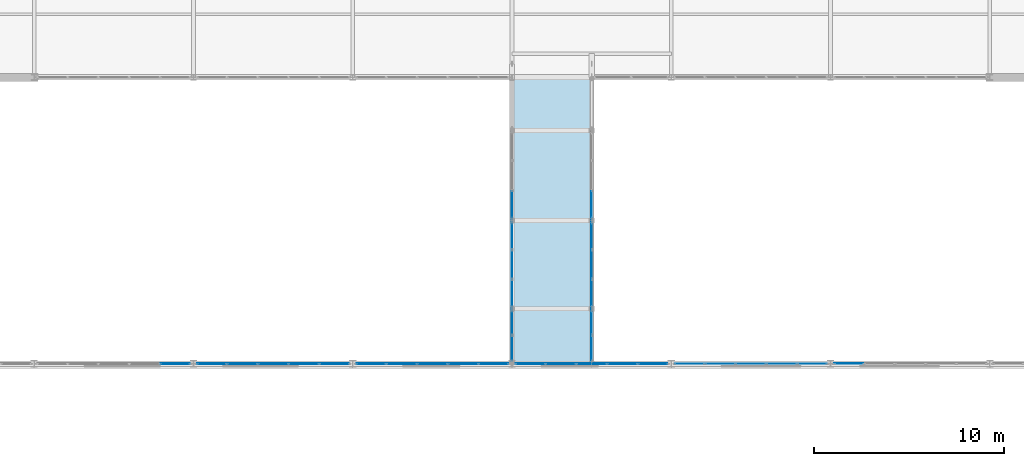
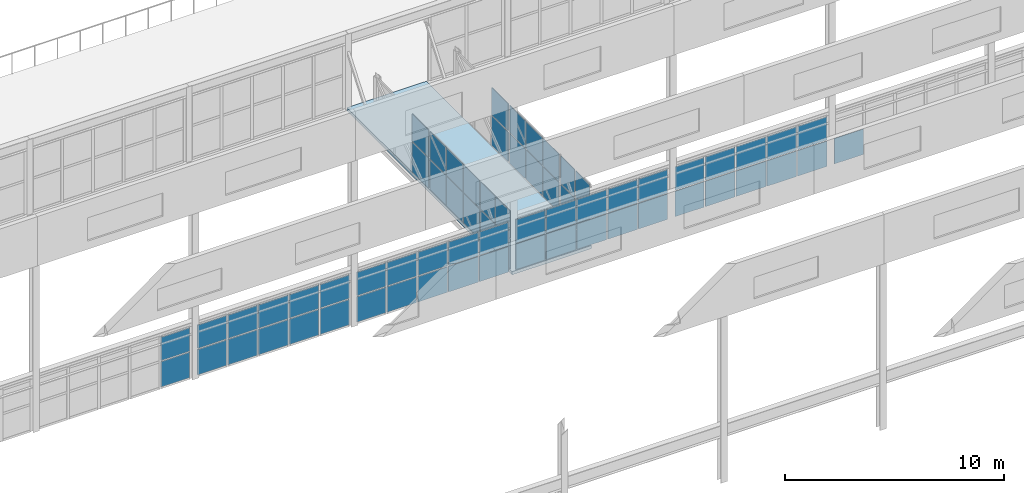
# One storey, part 182 of 218: 67 plates, 1 slab, 12 elements without a shape of their own.
"""IFC4 building model written with IfcOpenShell, lengths in metres."""

from ifc_helpers import new_model, si_unit, direction, frame, origin, origin_2d, place, context, subcontext, project, spatial, polyline, rectangle, outline, extrude, material, layer, layer_set, type_object, element, aggregate, save


model = new_model("IFC4")

# Units and contexts
model_context = context("Model", 3, precision=1e-05, world=origin(), true_north=direction((0.0, 1.0)))
body_context = subcontext(model_context, "Body", "Model", "MODEL_VIEW")
ifc_project = project(units=[si_unit("LENGTHUNIT", "METRE"), si_unit("AREAUNIT", "SQUARE_METRE"), si_unit("VOLUMEUNIT", "CUBIC_METRE"), si_unit("PLANEANGLEUNIT", "RADIAN"), si_unit("MASSUNIT", "GRAM", prefix="KILO")], contexts=[model_context])

# Site, building, storey
site_placement = place(None, origin())
site = spatial("IfcSite", under=ifc_project, at=site_placement, CompositionType="ELEMENT")
building_placement = place(site_placement, origin())
building = spatial("IfcBuilding", under=site, at=building_placement, Name="Kazenagashi Tramway Depot", CompositionType="ELEMENT")
storey_placement = place(building_placement, frame((0.0, 0.0, 6.0)))
storey = spatial("IfcBuildingStorey", under=building, at=storey_placement, Name="L02", CompositionType="ELEMENT", Elevation=6.0)

# Curtain wall, plates
ifc_material_1 = material(Name="Anodised Aluminium and Low-E Glazing", Category="aluminium")
curtain_wall_type_1 = type_object("IfcCurtainWallType", Name="CW-21", PredefinedType="USERDEFINED", material=ifc_material_1)
curtain_wall_1_placement = place(storey_placement, origin())
curtain_wall_1 = element("IfcCurtainWall", 1, at=curtain_wall_1_placement, inside=storey, type_object=curtain_wall_type_1, Name="Industrial Glazed Screen CW-21 CW-0113", ObjectType="GLAZED SCREEN", PredefinedType="USERDEFINED")
ifc_material_2 = material(Name="Tempered Laminated Low-E Glass", Category="glass")
ifc_layer_1 = layer(ifc_material_2, 0.016)
ifc_layer_set_1 = layer_set([ifc_layer_1], Name="Tempered Laminated Low-E Glass")
plate_type_1 = type_object("IfcPlateType", Name="GL-01", PredefinedType="CURTAIN_PANEL", material=ifc_layer_set_1)
plate_1_placement = place(storey_placement, frame((96.167, 54.9, 0.06), z_axis=(0.0, 0.0, 1.0), x_axis=(1.0, 0.0, 0.0)))
plate_1 = element("IfcPlate", 2, at=plate_1_placement, type_object=plate_type_1, Name="CW-21 panel 1.1", PredefinedType="CURTAIN_PANEL", context=body_context, shape_type="SweptSolid", body=[
    extrude(rectangle(XDim=1.534, YDim=0.016, at=origin_2d()), origin(), (0.0, 0.0, 1.0), 1.418),
])
plate_2_placement = place(storey_placement, frame((96.167, 54.9, 1.538), z_axis=(0.0, 0.0, 1.0), x_axis=(1.0, 0.0, 0.0)))
plate_2 = element("IfcPlate", 3, at=plate_2_placement, type_object=plate_type_1, Name="CW-21 panel 1.2", PredefinedType="CURTAIN_PANEL", context=body_context, shape_type="SweptSolid", body=[
    extrude(rectangle(XDim=1.534, YDim=0.016, at=origin_2d()), origin(), (0.0, 0.0, 1.0), 1.302),
])
plate_3_placement = place(storey_placement, frame((97.776, 54.9, 0.06), z_axis=(0.0, 0.0, 1.0), x_axis=(1.0, 0.0, 0.0)))
plate_3 = element("IfcPlate", 4, at=plate_3_placement, type_object=plate_type_1, Name="CW-21 panel 2.1", PredefinedType="CURTAIN_PANEL", context=body_context, shape_type="SweptSolid", body=[
    extrude(rectangle(XDim=1.564, YDim=0.016, at=origin_2d()), origin(), (0.0, 0.0, 1.0), 1.418),
])
plate_4_placement = place(storey_placement, frame((97.776, 54.9, 1.538), z_axis=(0.0, 0.0, 1.0), x_axis=(1.0, 0.0, 0.0)))
plate_4 = element("IfcPlate", 5, at=plate_4_placement, type_object=plate_type_1, Name="CW-21 panel 2.2", PredefinedType="CURTAIN_PANEL", context=body_context, shape_type="SweptSolid", body=[
    extrude(rectangle(XDim=1.564, YDim=0.016, at=origin_2d()), origin(), (0.0, 0.0, 1.0), 1.302),
])
plate_5_placement = place(storey_placement, frame((99.4, 54.9, 0.06), z_axis=(0.0, 0.0, 1.0), x_axis=(1.0, 0.0, 0.0)))
plate_5 = element("IfcPlate", 6, at=plate_5_placement, type_object=plate_type_1, Name="CW-21 panel 3.1", PredefinedType="CURTAIN_PANEL", context=body_context, shape_type="SweptSolid", body=[
    extrude(rectangle(XDim=1.564, YDim=0.016, at=origin_2d()), origin(), (0.0, 0.0, 1.0), 1.418),
])
plate_6_placement = place(storey_placement, frame((99.4, 54.9, 1.538), z_axis=(0.0, 0.0, 1.0), x_axis=(1.0, 0.0, 0.0)))
plate_6 = element("IfcPlate", 7, at=plate_6_placement, type_object=plate_type_1, Name="CW-21 panel 3.2", PredefinedType="CURTAIN_PANEL", context=body_context, shape_type="SweptSolid", body=[
    extrude(rectangle(XDim=1.564, YDim=0.016, at=origin_2d()), origin(), (0.0, 0.0, 1.0), 1.302),
])
plate_7_placement = place(storey_placement, frame((101.024, 54.9, 0.06), z_axis=(0.0, 0.0, 1.0), x_axis=(1.0, 0.0, 0.0)))
plate_7 = element("IfcPlate", 8, at=plate_7_placement, type_object=plate_type_1, Name="CW-21 panel 4.1", PredefinedType="CURTAIN_PANEL", context=body_context, shape_type="SweptSolid", body=[
    extrude(rectangle(XDim=1.564, YDim=0.016, at=origin_2d()), origin(), (0.0, 0.0, 1.0), 1.418),
])
plate_8_placement = place(storey_placement, frame((101.024, 54.9, 1.538), z_axis=(0.0, 0.0, 1.0), x_axis=(1.0, 0.0, 0.0)))
plate_8 = element("IfcPlate", 9, at=plate_8_placement, type_object=plate_type_1, Name="CW-21 panel 4.2", PredefinedType="CURTAIN_PANEL", context=body_context, shape_type="SweptSolid", body=[
    extrude(rectangle(XDim=1.564, YDim=0.016, at=origin_2d()), origin(), (0.0, 0.0, 1.0), 1.302),
])
plate_9_placement = place(storey_placement, frame((102.633, 54.9, 0.06), z_axis=(0.0, 0.0, 1.0), x_axis=(1.0, 0.0, 0.0)))
plate_9 = element("IfcPlate", 10, at=plate_9_placement, type_object=plate_type_1, Name="CW-21 panel 5.1", PredefinedType="CURTAIN_PANEL", context=body_context, shape_type="SweptSolid", body=[
    extrude(rectangle(XDim=1.534, YDim=0.016, at=origin_2d()), origin(), (0.0, 0.0, 1.0), 1.418),
])
plate_10_placement = place(storey_placement, frame((102.633, 54.9, 1.538), z_axis=(0.0, 0.0, 1.0), x_axis=(1.0, 0.0, 0.0)))
plate_10 = element("IfcPlate", 11, at=plate_10_placement, type_object=plate_type_1, Name="CW-21 panel 5.2", PredefinedType="CURTAIN_PANEL", context=body_context, shape_type="SweptSolid", body=[
    extrude(rectangle(XDim=1.534, YDim=0.016, at=origin_2d()), origin(), (0.0, 0.0, 1.0), 1.302),
])
aggregate(curtain_wall_1, [plate_1, plate_2, plate_3, plate_4, plate_5, plate_6, plate_7, plate_8, plate_9, plate_10])

# Curtain wall, plate
curtain_wall_2_placement = place(storey_placement, origin())
curtain_wall_2 = element("IfcCurtainWall", 12, at=curtain_wall_2_placement, inside=storey, type_object=curtain_wall_type_1, Name="Industrial Glazed Screen CW-21 CW-0114", ObjectType="GLAZED SCREEN", PredefinedType="USERDEFINED")
ifc_layer_2 = layer(ifc_material_2, 0.018)
ifc_layer_set_2 = layer_set([ifc_layer_2], Name="Tempered Laminated Low-E Glass")
plate_type_2 = type_object("IfcPlateType", Name="GL-02", PredefinedType="CURTAIN_PANEL", material=ifc_layer_set_2)
plate_11_placement = place(storey_placement, frame((104.567, 54.9, 0.06), z_axis=(0.0, 0.0, 1.0), x_axis=(1.0, 0.0, 0.0)))
plate_11 = element("IfcPlate", 13, at=plate_11_placement, type_object=plate_type_2, Name="CW-21 panel 1.1", PredefinedType="CURTAIN_PANEL", context=body_context, shape_type="SweptSolid", body=[
    extrude(rectangle(XDim=1.534, YDim=0.018, at=origin_2d()), origin(), (0.0, 0.0, 1.0), 1.418),
])
aggregate(curtain_wall_2, [plate_11])

# Curtain wall, plates
curtain_wall_type_2 = type_object("IfcCurtainWallType", Name="CW-27", PredefinedType="USERDEFINED", material=ifc_material_1)
curtain_wall_3_placement = place(storey_placement, origin())
curtain_wall_3 = element("IfcCurtainWall", 14, at=curtain_wall_3_placement, inside=storey, type_object=curtain_wall_type_2, Name="Industrial Glazed Screen CW-27 CW-0151", ObjectType="GLAZED SCREEN", PredefinedType="USERDEFINED")
ifc_layer_3 = layer(ifc_material_2, 0.028)
ifc_layer_set_3 = layer_set([ifc_layer_3], Name="Tempered Laminated Low-E Glass")
plate_type_3 = type_object("IfcPlateType", Name="GL-07", PredefinedType="CURTAIN_PANEL", material=ifc_layer_set_3)
plate_12_placement = place(storey_placement, frame((86.8, 55.715, 0.06), z_axis=(0.0, 0.0, 1.0), x_axis=(0.0, 1.0, 0.0)))
plate_12 = element("IfcPlate", 15, at=plate_12_placement, type_object=plate_type_3, Name="CW-27 panel 1.1", PredefinedType="CURTAIN_PANEL", context=body_context, shape_type="SweptSolid", body=[
    extrude(rectangle(XDim=1.31, YDim=0.028, at=origin_2d()), origin(), (0.0, 0.0, 1.0), 1.652),
])
plate_13_placement = place(storey_placement, frame((86.8, 55.715, 1.772), z_axis=(0.0, 0.0, 1.0), x_axis=(0.0, 1.0, 0.0)))
plate_13 = element("IfcPlate", 16, at=plate_13_placement, type_object=plate_type_3, Name="CW-27 panel 1.2", PredefinedType="CURTAIN_PANEL", context=body_context, shape_type="SweptSolid", body=[
    extrude(rectangle(XDim=1.31, YDim=0.028, at=origin_2d()), origin(), (0.0, 0.0, 1.0), 1.518),
])
plate_14_placement = place(storey_placement, frame((86.8, 57.085, 0.06), z_axis=(0.0, 0.0, 1.0), x_axis=(0.0, 1.0, 0.0)))
plate_14 = element("IfcPlate", 17, at=plate_14_placement, type_object=plate_type_3, Name="CW-27 panel 2.1", PredefinedType="CURTAIN_PANEL", context=body_context, shape_type="SweptSolid", body=[
    extrude(rectangle(XDim=1.31, YDim=0.028, at=origin_2d()), origin(), (0.0, 0.0, 1.0), 1.652),
])
plate_15_placement = place(storey_placement, frame((86.8, 57.085, 1.772), z_axis=(0.0, 0.0, 1.0), x_axis=(0.0, 1.0, 0.0)))
plate_15 = element("IfcPlate", 18, at=plate_15_placement, type_object=plate_type_3, Name="CW-27 panel 2.2", PredefinedType="CURTAIN_PANEL", context=body_context, shape_type="SweptSolid", body=[
    extrude(rectangle(XDim=1.31, YDim=0.028, at=origin_2d()), origin(), (0.0, 0.0, 1.0), 1.518),
])
aggregate(curtain_wall_3, [plate_12, plate_13, plate_14, plate_15])

curtain_wall_type_3 = type_object("IfcCurtainWallType", Name="CW-28", PredefinedType="USERDEFINED", material=ifc_material_1)
curtain_wall_4_placement = place(storey_placement, origin())
curtain_wall_4 = element("IfcCurtainWall", 19, at=curtain_wall_4_placement, inside=storey, type_object=curtain_wall_type_3, Name="Industrial Glazed Screen CW-28 CW-0152", ObjectType="GLAZED SCREEN", PredefinedType="USERDEFINED")
ifc_layer_4 = layer(ifc_material_2, 0.03)
ifc_layer_set_4 = layer_set([ifc_layer_4], Name="Tempered Laminated Low-E Glass")
plate_type_4 = type_object("IfcPlateType", Name="GL-08", PredefinedType="CURTAIN_PANEL", material=ifc_layer_set_4)
plate_16_placement = place(storey_placement, frame((86.8, 58.59, 0.06), z_axis=(0.0, 0.0, 1.0), x_axis=(0.0, 1.0, 0.0)))
plate_16 = element("IfcPlate", 20, at=plate_16_placement, type_object=plate_type_4, Name="CW-28 panel 1.1", PredefinedType="CURTAIN_PANEL", context=body_context, shape_type="SweptSolid", body=[
    extrude(rectangle(XDim=1.46, YDim=0.03, at=origin_2d()), origin(), (0.0, 0.0, 1.0), 1.652),
])
plate_17_placement = place(storey_placement, frame((86.8, 58.59, 1.772), z_axis=(0.0, 0.0, 1.0), x_axis=(0.0, 1.0, 0.0)))
plate_17 = element("IfcPlate", 21, at=plate_17_placement, type_object=plate_type_4, Name="CW-28 panel 1.2", PredefinedType="CURTAIN_PANEL", context=body_context, shape_type="SweptSolid", body=[
    extrude(rectangle(XDim=1.46, YDim=0.03, at=origin_2d()), origin(), (0.0, 0.0, 1.0), 1.518),
])
plate_18_placement = place(storey_placement, frame((86.8, 60.125, 0.06), z_axis=(0.0, 0.0, 1.0), x_axis=(0.0, 1.0, 0.0)))
plate_18 = element("IfcPlate", 22, at=plate_18_placement, type_object=plate_type_4, Name="CW-28 panel 2.1", PredefinedType="CURTAIN_PANEL", context=body_context, shape_type="SweptSolid", body=[
    extrude(rectangle(XDim=1.49, YDim=0.03, at=origin_2d()), origin(), (0.0, 0.0, 1.0), 1.652),
])
plate_19_placement = place(storey_placement, frame((86.8, 60.125, 1.772), z_axis=(0.0, 0.0, 1.0), x_axis=(0.0, 1.0, 0.0)))
plate_19 = element("IfcPlate", 23, at=plate_19_placement, type_object=plate_type_4, Name="CW-28 panel 2.2", PredefinedType="CURTAIN_PANEL", context=body_context, shape_type="SweptSolid", body=[
    extrude(rectangle(XDim=1.49, YDim=0.03, at=origin_2d()), origin(), (0.0, 0.0, 1.0), 1.518),
])
plate_20_placement = place(storey_placement, frame((86.8, 61.66, 0.06), z_axis=(0.0, 0.0, 1.0), x_axis=(0.0, 1.0, 0.0)))
plate_20 = element("IfcPlate", 24, at=plate_20_placement, type_object=plate_type_4, Name="CW-28 panel 3.1", PredefinedType="CURTAIN_PANEL", context=body_context, shape_type="SweptSolid", body=[
    extrude(rectangle(XDim=1.46, YDim=0.03, at=origin_2d()), origin(), (0.0, 0.0, 1.0), 1.652),
])
plate_21_placement = place(storey_placement, frame((86.8, 61.66, 1.772), z_axis=(0.0, 0.0, 1.0), x_axis=(0.0, 1.0, 0.0)))
plate_21 = element("IfcPlate", 25, at=plate_21_placement, type_object=plate_type_4, Name="CW-28 panel 3.2", PredefinedType="CURTAIN_PANEL", context=body_context, shape_type="SweptSolid", body=[
    extrude(rectangle(XDim=1.46, YDim=0.03, at=origin_2d()), origin(), (0.0, 0.0, 1.0), 1.518),
])
aggregate(curtain_wall_4, [plate_16, plate_17, plate_18, plate_19, plate_20, plate_21])

curtain_wall_type_4 = type_object("IfcCurtainWallType", Name="CW-29", PredefinedType="USERDEFINED", material=ifc_material_1)
curtain_wall_5_placement = place(storey_placement, origin())
curtain_wall_5 = element("IfcCurtainWall", 26, at=curtain_wall_5_placement, inside=storey, type_object=curtain_wall_type_4, Name="Industrial Glazed Screen CW-29 CW-0153", ObjectType="GLAZED SCREEN", PredefinedType="USERDEFINED")
ifc_layer_5 = layer(ifc_material_2, 0.032)
ifc_layer_set_5 = layer_set([ifc_layer_5], Name="Tempered Laminated Low-E Glass")
plate_type_5 = type_object("IfcPlateType", Name="GL-09", PredefinedType="CURTAIN_PANEL", material=ifc_layer_set_5)
plate_22_placement = place(storey_placement, frame((86.8, 63.256667, 0.06), z_axis=(0.0, 0.0, 1.0), x_axis=(0.0, 1.0, 0.0)))
plate_22 = element("IfcPlate", 27, at=plate_22_placement, type_object=plate_type_5, Name="CW-29 panel 1.1", PredefinedType="CURTAIN_PANEL", context=body_context, shape_type="SweptSolid", body=[
    extrude(rectangle(XDim=1.493333, YDim=0.032, at=origin_2d()), origin(), (0.0, 0.0, 1.0), 1.652),
])
plate_23_placement = place(storey_placement, frame((86.8, 63.256667, 1.772), z_axis=(0.0, 0.0, 1.0), x_axis=(0.0, 1.0, 0.0)))
plate_23 = element("IfcPlate", 28, at=plate_23_placement, type_object=plate_type_5, Name="CW-29 panel 1.2", PredefinedType="CURTAIN_PANEL", context=body_context, shape_type="SweptSolid", body=[
    extrude(rectangle(XDim=1.493333, YDim=0.032, at=origin_2d()), origin(), (0.0, 0.0, 1.0), 1.518),
])
aggregate(curtain_wall_5, [plate_22, plate_23])

curtain_wall_6_placement = place(storey_placement, origin())
curtain_wall_6 = element("IfcCurtainWall", 29, at=curtain_wall_6_placement, inside=storey, type_object=curtain_wall_type_2, Name="Industrial Glazed Screen CW-27 CW-0154", ObjectType="GLAZED SCREEN", PredefinedType="USERDEFINED")
ifc_layer_6 = layer(ifc_material_2, 0.034)
ifc_layer_set_6 = layer_set([ifc_layer_6], Name="Tempered Laminated Low-E Glass")
plate_type_6 = type_object("IfcPlateType", Name="GL-10", PredefinedType="CURTAIN_PANEL", material=ifc_layer_set_6)
plate_24_placement = place(storey_placement, frame((91.0, 55.715, 0.06), z_axis=(0.0, 0.0, 1.0), x_axis=(0.0, 1.0, 0.0)))
plate_24 = element("IfcPlate", 30, at=plate_24_placement, type_object=plate_type_6, Name="CW-27 panel 1.1", PredefinedType="CURTAIN_PANEL", context=body_context, shape_type="SweptSolid", body=[
    extrude(rectangle(XDim=1.31, YDim=0.034, at=origin_2d()), origin(), (0.0, 0.0, 1.0), 1.652),
])
plate_25_placement = place(storey_placement, frame((91.0, 55.715, 1.772), z_axis=(0.0, 0.0, 1.0), x_axis=(0.0, 1.0, 0.0)))
plate_25 = element("IfcPlate", 31, at=plate_25_placement, type_object=plate_type_6, Name="CW-27 panel 1.2", PredefinedType="CURTAIN_PANEL", context=body_context, shape_type="SweptSolid", body=[
    extrude(rectangle(XDim=1.31, YDim=0.034, at=origin_2d()), origin(), (0.0, 0.0, 1.0), 1.518),
])
plate_26_placement = place(storey_placement, frame((91.0, 57.085, 0.06), z_axis=(0.0, 0.0, 1.0), x_axis=(0.0, 1.0, 0.0)))
plate_26 = element("IfcPlate", 32, at=plate_26_placement, type_object=plate_type_6, Name="CW-27 panel 2.1", PredefinedType="CURTAIN_PANEL", context=body_context, shape_type="SweptSolid", body=[
    extrude(rectangle(XDim=1.31, YDim=0.034, at=origin_2d()), origin(), (0.0, 0.0, 1.0), 1.652),
])
plate_27_placement = place(storey_placement, frame((91.0, 57.085, 1.772), z_axis=(0.0, 0.0, 1.0), x_axis=(0.0, 1.0, 0.0)))
plate_27 = element("IfcPlate", 33, at=plate_27_placement, type_object=plate_type_6, Name="CW-27 panel 2.2", PredefinedType="CURTAIN_PANEL", context=body_context, shape_type="SweptSolid", body=[
    extrude(rectangle(XDim=1.31, YDim=0.034, at=origin_2d()), origin(), (0.0, 0.0, 1.0), 1.518),
])
aggregate(curtain_wall_6, [plate_24, plate_25, plate_26, plate_27])

curtain_wall_7_placement = place(storey_placement, origin())
curtain_wall_7 = element("IfcCurtainWall", 34, at=curtain_wall_7_placement, inside=storey, type_object=curtain_wall_type_3, Name="Industrial Glazed Screen CW-28 CW-0155", ObjectType="GLAZED SCREEN", PredefinedType="USERDEFINED")
ifc_layer_7 = layer(ifc_material_2, 0.036)
ifc_layer_set_7 = layer_set([ifc_layer_7], Name="Tempered Laminated Low-E Glass")
plate_type_7 = type_object("IfcPlateType", Name="GL-11", PredefinedType="CURTAIN_PANEL", material=ifc_layer_set_7)
plate_28_placement = place(storey_placement, frame((91.0, 58.59, 0.06), z_axis=(0.0, 0.0, 1.0), x_axis=(0.0, 1.0, 0.0)))
plate_28 = element("IfcPlate", 35, at=plate_28_placement, type_object=plate_type_7, Name="CW-28 panel 1.1", PredefinedType="CURTAIN_PANEL", context=body_context, shape_type="SweptSolid", body=[
    extrude(rectangle(XDim=1.46, YDim=0.036, at=origin_2d()), origin(), (0.0, 0.0, 1.0), 1.652),
])
plate_29_placement = place(storey_placement, frame((91.0, 58.59, 1.772), z_axis=(0.0, 0.0, 1.0), x_axis=(0.0, 1.0, 0.0)))
plate_29 = element("IfcPlate", 36, at=plate_29_placement, type_object=plate_type_7, Name="CW-28 panel 1.2", PredefinedType="CURTAIN_PANEL", context=body_context, shape_type="SweptSolid", body=[
    extrude(rectangle(XDim=1.46, YDim=0.036, at=origin_2d()), origin(), (0.0, 0.0, 1.0), 1.518),
])
plate_30_placement = place(storey_placement, frame((91.0, 60.125, 0.06), z_axis=(0.0, 0.0, 1.0), x_axis=(0.0, 1.0, 0.0)))
plate_30 = element("IfcPlate", 37, at=plate_30_placement, type_object=plate_type_7, Name="CW-28 panel 2.1", PredefinedType="CURTAIN_PANEL", context=body_context, shape_type="SweptSolid", body=[
    extrude(rectangle(XDim=1.49, YDim=0.036, at=origin_2d()), origin(), (0.0, 0.0, 1.0), 1.652),
])
plate_31_placement = place(storey_placement, frame((91.0, 60.125, 1.772), z_axis=(0.0, 0.0, 1.0), x_axis=(0.0, 1.0, 0.0)))
plate_31 = element("IfcPlate", 38, at=plate_31_placement, type_object=plate_type_7, Name="CW-28 panel 2.2", PredefinedType="CURTAIN_PANEL", context=body_context, shape_type="SweptSolid", body=[
    extrude(rectangle(XDim=1.49, YDim=0.036, at=origin_2d()), origin(), (0.0, 0.0, 1.0), 1.518),
])
plate_32_placement = place(storey_placement, frame((91.0, 61.66, 0.06), z_axis=(0.0, 0.0, 1.0), x_axis=(0.0, 1.0, 0.0)))
plate_32 = element("IfcPlate", 39, at=plate_32_placement, type_object=plate_type_7, Name="CW-28 panel 3.1", PredefinedType="CURTAIN_PANEL", context=body_context, shape_type="SweptSolid", body=[
    extrude(rectangle(XDim=1.46, YDim=0.036, at=origin_2d()), origin(), (0.0, 0.0, 1.0), 1.652),
])
plate_33_placement = place(storey_placement, frame((91.0, 61.66, 1.772), z_axis=(0.0, 0.0, 1.0), x_axis=(0.0, 1.0, 0.0)))
plate_33 = element("IfcPlate", 40, at=plate_33_placement, type_object=plate_type_7, Name="CW-28 panel 3.2", PredefinedType="CURTAIN_PANEL", context=body_context, shape_type="SweptSolid", body=[
    extrude(rectangle(XDim=1.46, YDim=0.036, at=origin_2d()), origin(), (0.0, 0.0, 1.0), 1.518),
])
aggregate(curtain_wall_7, [plate_28, plate_29, plate_30, plate_31, plate_32, plate_33])

curtain_wall_8_placement = place(storey_placement, origin())
curtain_wall_8 = element("IfcCurtainWall", 41, at=curtain_wall_8_placement, inside=storey, type_object=curtain_wall_type_4, Name="Industrial Glazed Screen CW-29 CW-0156", ObjectType="GLAZED SCREEN", PredefinedType="USERDEFINED")
ifc_layer_8 = layer(ifc_material_2, 0.038)
ifc_layer_set_8 = layer_set([ifc_layer_8], Name="Tempered Laminated Low-E Glass")
plate_type_8 = type_object("IfcPlateType", Name="GL-12", PredefinedType="CURTAIN_PANEL", material=ifc_layer_set_8)
plate_34_placement = place(storey_placement, frame((91.0, 63.256667, 0.06), z_axis=(0.0, 0.0, 1.0), x_axis=(0.0, 1.0, 0.0)))
plate_34 = element("IfcPlate", 42, at=plate_34_placement, type_object=plate_type_8, Name="CW-29 panel 1.1", PredefinedType="CURTAIN_PANEL", context=body_context, shape_type="SweptSolid", body=[
    extrude(rectangle(XDim=1.493333, YDim=0.038, at=origin_2d()), origin(), (0.0, 0.0, 1.0), 1.652),
])
plate_35_placement = place(storey_placement, frame((91.0, 63.256667, 1.772), z_axis=(0.0, 0.0, 1.0), x_axis=(0.0, 1.0, 0.0)))
plate_35 = element("IfcPlate", 43, at=plate_35_placement, type_object=plate_type_8, Name="CW-29 panel 1.2", PredefinedType="CURTAIN_PANEL", context=body_context, shape_type="SweptSolid", body=[
    extrude(rectangle(XDim=1.493333, YDim=0.038, at=origin_2d()), origin(), (0.0, 0.0, 1.0), 1.518),
])
aggregate(curtain_wall_8, [plate_34, plate_35])

curtain_wall_9_placement = place(storey_placement, origin())
curtain_wall_9 = element("IfcCurtainWall", 44, at=curtain_wall_9_placement, inside=storey, type_object=curtain_wall_type_1, Name="Industrial Glazed Screen CW-21 CW-0109", ObjectType="GLAZED SCREEN", PredefinedType="USERDEFINED")
ifc_layer_9 = layer(ifc_material_2, 0.04)
ifc_layer_set_9 = layer_set([ifc_layer_9], Name="Tempered Laminated Low-E Glass")
plate_type_9 = type_object("IfcPlateType", Name="GL-13", PredefinedType="CURTAIN_PANEL", material=ifc_layer_set_9)
plate_36_placement = place(storey_placement, frame((69.033, 54.9, 0.06), z_axis=(0.0, 0.0, 1.0), x_axis=(1.0, 0.0, 0.0)))
plate_36 = element("IfcPlate", 45, at=plate_36_placement, type_object=plate_type_9, Name="CW-21 panel 5.1", PredefinedType="CURTAIN_PANEL", context=body_context, shape_type="SweptSolid", body=[
    extrude(rectangle(XDim=1.534, YDim=0.04, at=origin_2d()), origin(), (0.0, 0.0, 1.0), 1.418),
])
plate_37_placement = place(storey_placement, frame((69.033, 54.9, 1.538), z_axis=(0.0, 0.0, 1.0), x_axis=(1.0, 0.0, 0.0)))
plate_37 = element("IfcPlate", 46, at=plate_37_placement, type_object=plate_type_9, Name="CW-21 panel 5.2", PredefinedType="CURTAIN_PANEL", context=body_context, shape_type="SweptSolid", body=[
    extrude(rectangle(XDim=1.534, YDim=0.04, at=origin_2d()), origin(), (0.0, 0.0, 1.0), 1.302),
])
aggregate(curtain_wall_9, [plate_36, plate_37])

curtain_wall_10_placement = place(storey_placement, origin())
curtain_wall_10 = element("IfcCurtainWall", 47, at=curtain_wall_10_placement, inside=storey, type_object=curtain_wall_type_1, Name="Industrial Glazed Screen CW-21 CW-0110", ObjectType="GLAZED SCREEN", PredefinedType="USERDEFINED")
ifc_layer_10 = layer(ifc_material_2, 0.042)
ifc_layer_set_10 = layer_set([ifc_layer_10], Name="Tempered Laminated Low-E Glass")
plate_type_10 = type_object("IfcPlateType", Name="GL-14", PredefinedType="CURTAIN_PANEL", material=ifc_layer_set_10)
plate_38_placement = place(storey_placement, frame((70.967, 54.9, 0.06), z_axis=(0.0, 0.0, 1.0), x_axis=(1.0, 0.0, 0.0)))
plate_38 = element("IfcPlate", 48, at=plate_38_placement, type_object=plate_type_10, Name="CW-21 panel 1.1", PredefinedType="CURTAIN_PANEL", context=body_context, shape_type="SweptSolid", body=[
    extrude(rectangle(XDim=1.534, YDim=0.042, at=origin_2d()), origin(), (0.0, 0.0, 1.0), 1.418),
])
plate_39_placement = place(storey_placement, frame((70.967, 54.9, 1.538), z_axis=(0.0, 0.0, 1.0), x_axis=(1.0, 0.0, 0.0)))
plate_39 = element("IfcPlate", 49, at=plate_39_placement, type_object=plate_type_10, Name="CW-21 panel 1.2", PredefinedType="CURTAIN_PANEL", context=body_context, shape_type="SweptSolid", body=[
    extrude(rectangle(XDim=1.534, YDim=0.042, at=origin_2d()), origin(), (0.0, 0.0, 1.0), 1.302),
])
plate_40_placement = place(storey_placement, frame((72.576, 54.9, 0.06), z_axis=(0.0, 0.0, 1.0), x_axis=(1.0, 0.0, 0.0)))
plate_40 = element("IfcPlate", 50, at=plate_40_placement, type_object=plate_type_10, Name="CW-21 panel 2.1", PredefinedType="CURTAIN_PANEL", context=body_context, shape_type="SweptSolid", body=[
    extrude(rectangle(XDim=1.564, YDim=0.042, at=origin_2d()), origin(), (0.0, 0.0, 1.0), 1.418),
])
plate_41_placement = place(storey_placement, frame((72.576, 54.9, 1.538), z_axis=(0.0, 0.0, 1.0), x_axis=(1.0, 0.0, 0.0)))
plate_41 = element("IfcPlate", 51, at=plate_41_placement, type_object=plate_type_10, Name="CW-21 panel 2.2", PredefinedType="CURTAIN_PANEL", context=body_context, shape_type="SweptSolid", body=[
    extrude(rectangle(XDim=1.564, YDim=0.042, at=origin_2d()), origin(), (0.0, 0.0, 1.0), 1.302),
])
plate_42_placement = place(storey_placement, frame((74.2, 54.9, 0.06), z_axis=(0.0, 0.0, 1.0), x_axis=(1.0, 0.0, 0.0)))
plate_42 = element("IfcPlate", 52, at=plate_42_placement, type_object=plate_type_10, Name="CW-21 panel 3.1", PredefinedType="CURTAIN_PANEL", context=body_context, shape_type="SweptSolid", body=[
    extrude(rectangle(XDim=1.564, YDim=0.042, at=origin_2d()), origin(), (0.0, 0.0, 1.0), 1.418),
])
plate_43_placement = place(storey_placement, frame((74.2, 54.9, 1.538), z_axis=(0.0, 0.0, 1.0), x_axis=(1.0, 0.0, 0.0)))
plate_43 = element("IfcPlate", 53, at=plate_43_placement, type_object=plate_type_10, Name="CW-21 panel 3.2", PredefinedType="CURTAIN_PANEL", context=body_context, shape_type="SweptSolid", body=[
    extrude(rectangle(XDim=1.564, YDim=0.042, at=origin_2d()), origin(), (0.0, 0.0, 1.0), 1.302),
])
plate_44_placement = place(storey_placement, frame((75.824, 54.9, 0.06), z_axis=(0.0, 0.0, 1.0), x_axis=(1.0, 0.0, 0.0)))
plate_44 = element("IfcPlate", 54, at=plate_44_placement, type_object=plate_type_10, Name="CW-21 panel 4.1", PredefinedType="CURTAIN_PANEL", context=body_context, shape_type="SweptSolid", body=[
    extrude(rectangle(XDim=1.564, YDim=0.042, at=origin_2d()), origin(), (0.0, 0.0, 1.0), 1.418),
])
plate_45_placement = place(storey_placement, frame((75.824, 54.9, 1.538), z_axis=(0.0, 0.0, 1.0), x_axis=(1.0, 0.0, 0.0)))
plate_45 = element("IfcPlate", 55, at=plate_45_placement, type_object=plate_type_10, Name="CW-21 panel 4.2", PredefinedType="CURTAIN_PANEL", context=body_context, shape_type="SweptSolid", body=[
    extrude(rectangle(XDim=1.564, YDim=0.042, at=origin_2d()), origin(), (0.0, 0.0, 1.0), 1.302),
])
plate_46_placement = place(storey_placement, frame((77.433, 54.9, 0.06), z_axis=(0.0, 0.0, 1.0), x_axis=(1.0, 0.0, 0.0)))
plate_46 = element("IfcPlate", 56, at=plate_46_placement, type_object=plate_type_10, Name="CW-21 panel 5.1", PredefinedType="CURTAIN_PANEL", context=body_context, shape_type="SweptSolid", body=[
    extrude(rectangle(XDim=1.534, YDim=0.042, at=origin_2d()), origin(), (0.0, 0.0, 1.0), 1.418),
])
plate_47_placement = place(storey_placement, frame((77.433, 54.9, 1.538), z_axis=(0.0, 0.0, 1.0), x_axis=(1.0, 0.0, 0.0)))
plate_47 = element("IfcPlate", 57, at=plate_47_placement, type_object=plate_type_10, Name="CW-21 panel 5.2", PredefinedType="CURTAIN_PANEL", context=body_context, shape_type="SweptSolid", body=[
    extrude(rectangle(XDim=1.534, YDim=0.042, at=origin_2d()), origin(), (0.0, 0.0, 1.0), 1.302),
])
aggregate(curtain_wall_10, [plate_38, plate_39, plate_40, plate_41, plate_42, plate_43, plate_44, plate_45, plate_46, plate_47])

curtain_wall_11_placement = place(storey_placement, origin())
curtain_wall_11 = element("IfcCurtainWall", 58, at=curtain_wall_11_placement, inside=storey, type_object=curtain_wall_type_1, Name="Industrial Glazed Screen CW-21 CW-0111", ObjectType="GLAZED SCREEN", PredefinedType="USERDEFINED")
ifc_layer_11 = layer(ifc_material_2, 0.044)
ifc_layer_set_11 = layer_set([ifc_layer_11], Name="Tempered Laminated Low-E Glass")
plate_type_11 = type_object("IfcPlateType", Name="GL-15", PredefinedType="CURTAIN_PANEL", material=ifc_layer_set_11)
plate_48_placement = place(storey_placement, frame((79.367, 54.9, 0.06), z_axis=(0.0, 0.0, 1.0), x_axis=(1.0, 0.0, 0.0)))
plate_48 = element("IfcPlate", 59, at=plate_48_placement, type_object=plate_type_11, Name="CW-21 panel 1.1", PredefinedType="CURTAIN_PANEL", context=body_context, shape_type="SweptSolid", body=[
    extrude(rectangle(XDim=1.534, YDim=0.044, at=origin_2d()), origin(), (0.0, 0.0, 1.0), 1.418),
])
plate_49_placement = place(storey_placement, frame((79.367, 54.9, 1.538), z_axis=(0.0, 0.0, 1.0), x_axis=(1.0, 0.0, 0.0)))
plate_49 = element("IfcPlate", 60, at=plate_49_placement, type_object=plate_type_11, Name="CW-21 panel 1.2", PredefinedType="CURTAIN_PANEL", context=body_context, shape_type="SweptSolid", body=[
    extrude(rectangle(XDim=1.534, YDim=0.044, at=origin_2d()), origin(), (0.0, 0.0, 1.0), 1.302),
])
plate_50_placement = place(storey_placement, frame((80.976, 54.9, 0.06), z_axis=(0.0, 0.0, 1.0), x_axis=(1.0, 0.0, 0.0)))
plate_50 = element("IfcPlate", 61, at=plate_50_placement, type_object=plate_type_11, Name="CW-21 panel 2.1", PredefinedType="CURTAIN_PANEL", context=body_context, shape_type="SweptSolid", body=[
    extrude(rectangle(XDim=1.564, YDim=0.044, at=origin_2d()), origin(), (0.0, 0.0, 1.0), 1.418),
])
plate_51_placement = place(storey_placement, frame((80.976, 54.9, 1.538), z_axis=(0.0, 0.0, 1.0), x_axis=(1.0, 0.0, 0.0)))
plate_51 = element("IfcPlate", 62, at=plate_51_placement, type_object=plate_type_11, Name="CW-21 panel 2.2", PredefinedType="CURTAIN_PANEL", context=body_context, shape_type="SweptSolid", body=[
    extrude(rectangle(XDim=1.564, YDim=0.044, at=origin_2d()), origin(), (0.0, 0.0, 1.0), 1.302),
])
plate_52_placement = place(storey_placement, frame((82.6, 54.9, 0.06), z_axis=(0.0, 0.0, 1.0), x_axis=(1.0, 0.0, 0.0)))
plate_52 = element("IfcPlate", 63, at=plate_52_placement, type_object=plate_type_11, Name="CW-21 panel 3.1", PredefinedType="CURTAIN_PANEL", context=body_context, shape_type="SweptSolid", body=[
    extrude(rectangle(XDim=1.564, YDim=0.044, at=origin_2d()), origin(), (0.0, 0.0, 1.0), 1.418),
])
plate_53_placement = place(storey_placement, frame((82.6, 54.9, 1.538), z_axis=(0.0, 0.0, 1.0), x_axis=(1.0, 0.0, 0.0)))
plate_53 = element("IfcPlate", 64, at=plate_53_placement, type_object=plate_type_11, Name="CW-21 panel 3.2", PredefinedType="CURTAIN_PANEL", context=body_context, shape_type="SweptSolid", body=[
    extrude(rectangle(XDim=1.564, YDim=0.044, at=origin_2d()), origin(), (0.0, 0.0, 1.0), 1.302),
])
plate_54_placement = place(storey_placement, frame((84.224, 54.9, 0.06), z_axis=(0.0, 0.0, 1.0), x_axis=(1.0, 0.0, 0.0)))
plate_54 = element("IfcPlate", 65, at=plate_54_placement, type_object=plate_type_11, Name="CW-21 panel 4.1", PredefinedType="CURTAIN_PANEL", context=body_context, shape_type="SweptSolid", body=[
    extrude(rectangle(XDim=1.564, YDim=0.044, at=origin_2d()), origin(), (0.0, 0.0, 1.0), 1.418),
])
plate_55_placement = place(storey_placement, frame((84.224, 54.9, 1.538), z_axis=(0.0, 0.0, 1.0), x_axis=(1.0, 0.0, 0.0)))
plate_55 = element("IfcPlate", 66, at=plate_55_placement, type_object=plate_type_11, Name="CW-21 panel 4.2", PredefinedType="CURTAIN_PANEL", context=body_context, shape_type="SweptSolid", body=[
    extrude(rectangle(XDim=1.564, YDim=0.044, at=origin_2d()), origin(), (0.0, 0.0, 1.0), 1.302),
])
plate_56_placement = place(storey_placement, frame((85.833, 54.9, 0.06), z_axis=(0.0, 0.0, 1.0), x_axis=(1.0, 0.0, 0.0)))
plate_56 = element("IfcPlate", 67, at=plate_56_placement, type_object=plate_type_11, Name="CW-21 panel 5.1", PredefinedType="CURTAIN_PANEL", context=body_context, shape_type="SweptSolid", body=[
    extrude(rectangle(XDim=1.534, YDim=0.044, at=origin_2d()), origin(), (0.0, 0.0, 1.0), 1.418),
])
plate_57_placement = place(storey_placement, frame((85.833, 54.9, 1.538), z_axis=(0.0, 0.0, 1.0), x_axis=(1.0, 0.0, 0.0)))
plate_57 = element("IfcPlate", 68, at=plate_57_placement, type_object=plate_type_11, Name="CW-21 panel 5.2", PredefinedType="CURTAIN_PANEL", context=body_context, shape_type="SweptSolid", body=[
    extrude(rectangle(XDim=1.534, YDim=0.044, at=origin_2d()), origin(), (0.0, 0.0, 1.0), 1.302),
])
aggregate(curtain_wall_11, [plate_48, plate_49, plate_50, plate_51, plate_52, plate_53, plate_54, plate_55, plate_56, plate_57])

curtain_wall_12_placement = place(storey_placement, origin())
curtain_wall_12 = element("IfcCurtainWall", 69, at=curtain_wall_12_placement, inside=storey, type_object=curtain_wall_type_1, Name="Industrial Glazed Screen CW-21 CW-0112", ObjectType="GLAZED SCREEN", PredefinedType="USERDEFINED")
ifc_layer_12 = layer(ifc_material_2, 0.046)
ifc_layer_set_12 = layer_set([ifc_layer_12], Name="Tempered Laminated Low-E Glass")
plate_type_12 = type_object("IfcPlateType", Name="GL-16", PredefinedType="CURTAIN_PANEL", material=ifc_layer_set_12)
plate_58_placement = place(storey_placement, frame((87.767, 54.9, 0.06), z_axis=(0.0, 0.0, 1.0), x_axis=(1.0, 0.0, 0.0)))
plate_58 = element("IfcPlate", 70, at=plate_58_placement, type_object=plate_type_12, Name="CW-21 panel 1.1", PredefinedType="CURTAIN_PANEL", context=body_context, shape_type="SweptSolid", body=[
    extrude(rectangle(XDim=1.534, YDim=0.046, at=origin_2d()), origin(), (0.0, 0.0, 1.0), 1.418),
])
plate_59_placement = place(storey_placement, frame((87.767, 54.9, 1.538), z_axis=(0.0, 0.0, 1.0), x_axis=(1.0, 0.0, 0.0)))
plate_59 = element("IfcPlate", 71, at=plate_59_placement, type_object=plate_type_12, Name="CW-21 panel 1.2", PredefinedType="CURTAIN_PANEL", context=body_context, shape_type="SweptSolid", body=[
    extrude(rectangle(XDim=1.534, YDim=0.046, at=origin_2d()), origin(), (0.0, 0.0, 1.0), 1.302),
])
plate_60_placement = place(storey_placement, frame((89.376, 54.9, 0.06), z_axis=(0.0, 0.0, 1.0), x_axis=(1.0, 0.0, 0.0)))
plate_60 = element("IfcPlate", 72, at=plate_60_placement, type_object=plate_type_12, Name="CW-21 panel 2.1", PredefinedType="CURTAIN_PANEL", context=body_context, shape_type="SweptSolid", body=[
    extrude(rectangle(XDim=1.564, YDim=0.046, at=origin_2d()), origin(), (0.0, 0.0, 1.0), 1.418),
])
plate_61_placement = place(storey_placement, frame((89.376, 54.9, 1.538), z_axis=(0.0, 0.0, 1.0), x_axis=(1.0, 0.0, 0.0)))
plate_61 = element("IfcPlate", 73, at=plate_61_placement, type_object=plate_type_12, Name="CW-21 panel 2.2", PredefinedType="CURTAIN_PANEL", context=body_context, shape_type="SweptSolid", body=[
    extrude(rectangle(XDim=1.564, YDim=0.046, at=origin_2d()), origin(), (0.0, 0.0, 1.0), 1.302),
])
plate_62_placement = place(storey_placement, frame((91.0, 54.9, 0.06), z_axis=(0.0, 0.0, 1.0), x_axis=(1.0, 0.0, 0.0)))
plate_62 = element("IfcPlate", 74, at=plate_62_placement, type_object=plate_type_12, Name="CW-21 panel 3.1", PredefinedType="CURTAIN_PANEL", context=body_context, shape_type="SweptSolid", body=[
    extrude(rectangle(XDim=1.564, YDim=0.046, at=origin_2d()), origin(), (0.0, 0.0, 1.0), 1.418),
])
plate_63_placement = place(storey_placement, frame((91.0, 54.9, 1.538), z_axis=(0.0, 0.0, 1.0), x_axis=(1.0, 0.0, 0.0)))
plate_63 = element("IfcPlate", 75, at=plate_63_placement, type_object=plate_type_12, Name="CW-21 panel 3.2", PredefinedType="CURTAIN_PANEL", context=body_context, shape_type="SweptSolid", body=[
    extrude(rectangle(XDim=1.564, YDim=0.046, at=origin_2d()), origin(), (0.0, 0.0, 1.0), 1.302),
])
plate_64_placement = place(storey_placement, frame((92.624, 54.9, 0.06), z_axis=(0.0, 0.0, 1.0), x_axis=(1.0, 0.0, 0.0)))
plate_64 = element("IfcPlate", 76, at=plate_64_placement, type_object=plate_type_12, Name="CW-21 panel 4.1", PredefinedType="CURTAIN_PANEL", context=body_context, shape_type="SweptSolid", body=[
    extrude(rectangle(XDim=1.564, YDim=0.046, at=origin_2d()), origin(), (0.0, 0.0, 1.0), 1.418),
])
plate_65_placement = place(storey_placement, frame((92.624, 54.9, 1.538), z_axis=(0.0, 0.0, 1.0), x_axis=(1.0, 0.0, 0.0)))
plate_65 = element("IfcPlate", 77, at=plate_65_placement, type_object=plate_type_12, Name="CW-21 panel 4.2", PredefinedType="CURTAIN_PANEL", context=body_context, shape_type="SweptSolid", body=[
    extrude(rectangle(XDim=1.564, YDim=0.046, at=origin_2d()), origin(), (0.0, 0.0, 1.0), 1.302),
])
plate_66_placement = place(storey_placement, frame((94.233, 54.9, 0.06), z_axis=(0.0, 0.0, 1.0), x_axis=(1.0, 0.0, 0.0)))
plate_66 = element("IfcPlate", 78, at=plate_66_placement, type_object=plate_type_12, Name="CW-21 panel 5.1", PredefinedType="CURTAIN_PANEL", context=body_context, shape_type="SweptSolid", body=[
    extrude(rectangle(XDim=1.534, YDim=0.046, at=origin_2d()), origin(), (0.0, 0.0, 1.0), 1.418),
])
plate_67_placement = place(storey_placement, frame((94.233, 54.9, 1.538), z_axis=(0.0, 0.0, 1.0), x_axis=(1.0, 0.0, 0.0)))
plate_67 = element("IfcPlate", 79, at=plate_67_placement, type_object=plate_type_12, Name="CW-21 panel 5.2", PredefinedType="CURTAIN_PANEL", context=body_context, shape_type="SweptSolid", body=[
    extrude(rectangle(XDim=1.534, YDim=0.046, at=origin_2d()), origin(), (0.0, 0.0, 1.0), 1.302),
])
aggregate(curtain_wall_12, [plate_58, plate_59, plate_60, plate_61, plate_62, plate_63, plate_64, plate_65, plate_66, plate_67])

# Slab
ifc_material_3 = material(Name="Concrete Fc36", Category="concrete")
ifc_layer_13 = layer(ifc_material_3, 0.18)
ifc_layer_set_13 = layer_set([ifc_layer_13], Name="Concrete Fc36")
slab_type = type_object("IfcSlabType", Name="SL-07", PredefinedType="FLOOR", material=ifc_layer_set_13)
slab_placement = place(storey_placement, frame((0.0, 0.0, -0.18)))
element("IfcSlab", 80, at=slab_placement, inside=storey, type_object=slab_type, Name="Central Traverser Court Steel Warren Link Bridge BR2 Deck SLAB-078", PredefinedType="FLOOR", context=body_context, shape_type="SweptSolid", body=[
    extrude(outline(polyline([(86.8, 54.9), (91.0, 54.9), (91.0, 70.0), (86.8, 70.0), (86.8, 54.9)])), origin(), (0.0, 0.0, 1.0), 0.18),
])

save(model, "model.ifc")
